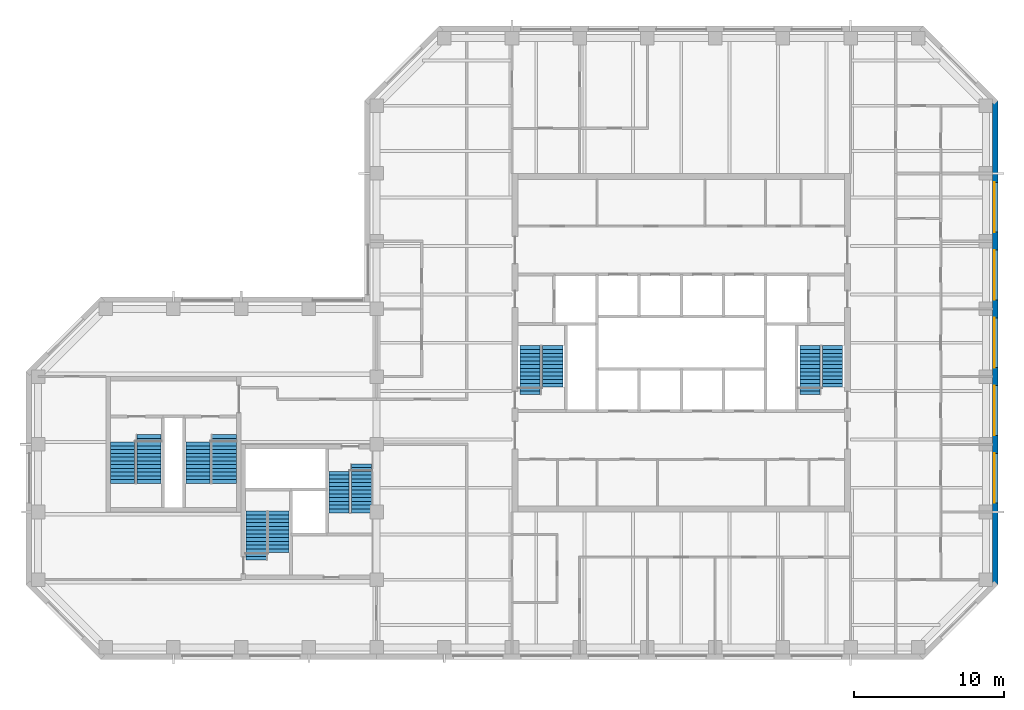
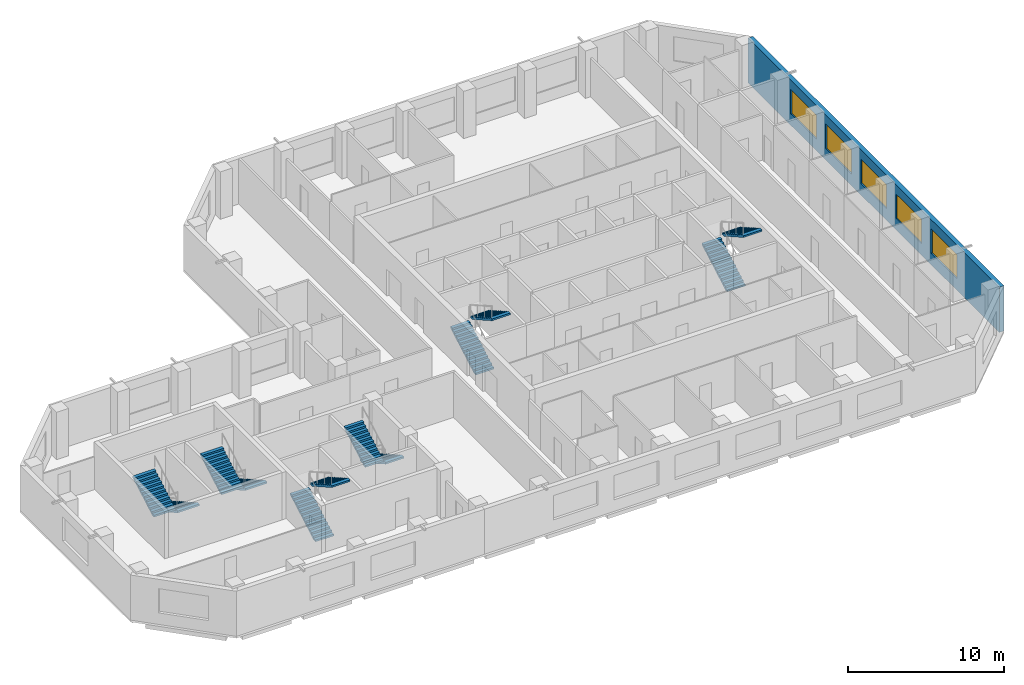
# One storey, part 8 of 9: 12 stair flights, 5 windows, 1 wall, 5 openings, 6 elements without a shape of their own.
"""IFC4 building model written with IfcOpenShell, lengths in metres."""

from ifc_helpers import new_model, si_unit, direction, frame, frame_2d, origin, place, context, subcontext, project, spatial, polyline, rectangle, outline, extrude, material, layer, layer_set, constituent, constituent_set, type_object, element, fill, aggregate, save


model = new_model("IFC4")

# Units and contexts
model_context = context("Model", 3, precision=1e-05, world=origin(), true_north=direction((0.0, 1.0)))
body_context = subcontext(model_context, "Body", "Model", "MODEL_VIEW")
ifc_project = project(units=[si_unit("LENGTHUNIT", "METRE"), si_unit("AREAUNIT", "SQUARE_METRE"), si_unit("VOLUMEUNIT", "CUBIC_METRE"), si_unit("PLANEANGLEUNIT", "RADIAN"), si_unit("MASSUNIT", "GRAM", prefix="KILO")], contexts=[model_context])

# Site, building, storey
site_placement = place(None, origin())
site = spatial("IfcSite", under=ifc_project, at=site_placement, CompositionType="ELEMENT")
building_placement = place(site_placement, origin())
building = spatial("IfcBuilding", under=site, at=building_placement, Name="Quoin Convention Tower", CompositionType="ELEMENT")
storey_placement = place(building_placement, frame((0.0, 0.0, 199.5)))
storey = spatial("IfcBuildingStorey", under=building, at=storey_placement, Name="L52", CompositionType="ELEMENT", Elevation=199.5)

# Wall, openings, windows
ifc_material_1 = material(Name="Brick masonry", Category="masonry")
ifc_layer = layer(ifc_material_1, 0.35009765625)
ifc_layer_set = layer_set([ifc_layer], Name="Brick masonry")
wall_type = type_object("IfcWallType", Name="Brick facade wall", PredefinedType="STANDARD", material=ifc_layer_set)
wall_placement = place(storey_placement, frame((77.125, 44.668701171875, 0.0), z_axis=(0.0, 0.0, 1.0), x_axis=(0.0, 1.0, 0.0)))
wall = element("IfcWall", 1, at=wall_placement, inside=storey, type_object=wall_type, Name="fw-L52-76500_45000", PredefinedType="STANDARD", context=body_context, shape_type="SweptSolid", body=[
    extrude(rectangle(XDim=32.16259765625, YDim=0.35009765625, at=frame_2d((16.081298828125, 0.0))), origin(), (0.0, 0.0, 1.0), 3.52490234375),
])
opening_1_placement = place(wall_placement, frame((5.431396484375, 0.0, 0.89990234375)))
opening_1 = element("IfcOpeningElement", 2, at=opening_1_placement, cuts=wall, Name="Opening W-02", PredefinedType="OPENING", context=body_context, shape_type="SweptSolid", body=[
    extrude(rectangle(XDim=3.300048828125, YDim=1.89990234375, at=frame_2d((1.64990234375, 0.949951171875))), frame((0.0, 0.18505859375, 0.0), z_axis=(0.0, -1.0, 0.0), x_axis=(1.0, 0.0, 0.0)), (0.0, 0.0, 1.0), 0.3701171875),
])
opening_2_placement = place(wall_placement, frame((9.931396484375, 0.0, 0.89990234375)))
opening_2 = element("IfcOpeningElement", 3, at=opening_2_placement, cuts=wall, Name="Opening W-02", PredefinedType="OPENING", context=body_context, shape_type="SweptSolid", body=[
    extrude(rectangle(XDim=3.300048828125, YDim=1.89990234375, at=frame_2d((1.64990234375, 0.949951171875))), frame((0.0, 0.18505859375, 0.0), z_axis=(0.0, -1.0, 0.0), x_axis=(1.0, 0.0, 0.0)), (0.0, 0.0, 1.0), 0.3701171875),
])
opening_3_placement = place(wall_placement, frame((14.431396484375, 0.0, 0.89990234375)))
opening_3 = element("IfcOpeningElement", 4, at=opening_3_placement, cuts=wall, Name="Opening W-02", PredefinedType="OPENING", context=body_context, shape_type="SweptSolid", body=[
    extrude(rectangle(XDim=3.300048828125, YDim=1.89990234375, at=frame_2d((1.64990234375, 0.949951171875))), frame((0.0, 0.18505859375, 0.0), z_axis=(0.0, -1.0, 0.0), x_axis=(1.0, 0.0, 0.0)), (0.0, 0.0, 1.0), 0.3701171875),
])
opening_4_placement = place(wall_placement, frame((18.931396484375, 0.0, 0.89990234375)))
opening_4 = element("IfcOpeningElement", 5, at=opening_4_placement, cuts=wall, Name="Opening W-02", PredefinedType="OPENING", context=body_context, shape_type="SweptSolid", body=[
    extrude(rectangle(XDim=3.300048828125, YDim=1.89990234375, at=frame_2d((1.64990234375, 0.949951171875))), frame((0.0, 0.18505859375, 0.0), z_axis=(0.0, -1.0, 0.0), x_axis=(1.0, 0.0, 0.0)), (0.0, 0.0, 1.0), 0.3701171875),
])
opening_5_placement = place(wall_placement, frame((23.431396484375, 0.0, 0.89990234375)))
opening_5 = element("IfcOpeningElement", 6, at=opening_5_placement, cuts=wall, Name="Opening W-02", PredefinedType="OPENING", context=body_context, shape_type="SweptSolid", body=[
    extrude(rectangle(XDim=3.300048828125, YDim=1.89990234375, at=frame_2d((1.64990234375, 0.949951171875))), frame((0.0, 0.18505859375, 0.0), z_axis=(0.0, -1.0, 0.0), x_axis=(1.0, 0.0, 0.0)), (0.0, 0.0, 1.0), 0.3701171875),
])
ifc_material_2 = material(Name="Aluminium", Category="aluminium")
ifc_constituent_1 = constituent(ifc_material_2, Name="Frame")
ifc_material_3 = material(Name="Insulated glass", Category="glass")
ifc_constituent_2 = constituent(ifc_material_3, Name="Glazing")
ifc_constituent_set = constituent_set(constituents=[ifc_constituent_1, ifc_constituent_2], Name="Aluminium")
window_type = type_object("IfcWindowType", Name="Office window", PartitioningType="DOUBLE_PANEL_VERTICAL", PredefinedType="WINDOW", material=ifc_constituent_set)
window_1_placement = place(opening_1_placement, origin())
window_1 = element("IfcWindow", 7, at=window_1_placement, inside=storey, type_object=window_type, Name="win-L52-77125_51750", OverallHeight=1.89990234375, OverallWidth=3.300048828125, PartitioningType="SINGLE_PANEL", PredefinedType="WINDOW", context=body_context, shape_type="SweptSolid", body=[
    extrude(rectangle(XDim=3.300048828125, YDim=1.89990234375, at=frame_2d((1.64990234375, 0.949951171875))), frame((0.0, 0.0849609375, 0.0), z_axis=(0.0, -1.0, 0.0), x_axis=(1.0, 0.0, 0.0)), (0.0, 0.0, 1.0), 0.06005859375),
])
fill(opening_1, window_1)
window_2_placement = place(opening_2_placement, origin())
window_2 = element("IfcWindow", 8, at=window_2_placement, inside=storey, type_object=window_type, Name="win-L52-77125_56250", OverallHeight=1.89990234375, OverallWidth=3.300048828125, PartitioningType="SINGLE_PANEL", PredefinedType="WINDOW", context=body_context, shape_type="SweptSolid", body=[
    extrude(rectangle(XDim=3.300048828125, YDim=1.89990234375, at=frame_2d((1.64990234375, 0.949951171875))), frame((0.0, 0.0849609375, 0.0), z_axis=(0.0, -1.0, 0.0), x_axis=(1.0, 0.0, 0.0)), (0.0, 0.0, 1.0), 0.06005859375),
])
fill(opening_2, window_2)
window_3_placement = place(opening_3_placement, origin())
window_3 = element("IfcWindow", 9, at=window_3_placement, inside=storey, type_object=window_type, Name="win-L52-77125_60750", OverallHeight=1.89990234375, OverallWidth=3.300048828125, PartitioningType="SINGLE_PANEL", PredefinedType="WINDOW", context=body_context, shape_type="SweptSolid", body=[
    extrude(rectangle(XDim=3.300048828125, YDim=1.89990234375, at=frame_2d((1.64990234375, 0.949951171875))), frame((0.0, 0.0849609375, 0.0), z_axis=(0.0, -1.0, 0.0), x_axis=(1.0, 0.0, 0.0)), (0.0, 0.0, 1.0), 0.06005859375),
])
fill(opening_3, window_3)
window_4_placement = place(opening_4_placement, origin())
window_4 = element("IfcWindow", 10, at=window_4_placement, inside=storey, type_object=window_type, Name="win-L52-77125_65250", OverallHeight=1.89990234375, OverallWidth=3.300048828125, PartitioningType="SINGLE_PANEL", PredefinedType="WINDOW", context=body_context, shape_type="SweptSolid", body=[
    extrude(rectangle(XDim=3.300048828125, YDim=1.89990234375, at=frame_2d((1.64990234375, 0.949951171875))), frame((0.0, 0.0849609375, 0.0), z_axis=(0.0, -1.0, 0.0), x_axis=(1.0, 0.0, 0.0)), (0.0, 0.0, 1.0), 0.06005859375),
])
fill(opening_4, window_4)
window_5_placement = place(opening_5_placement, origin())
window_5 = element("IfcWindow", 11, at=window_5_placement, inside=storey, type_object=window_type, Name="win-L52-77125_69750", OverallHeight=1.89990234375, OverallWidth=3.300048828125, PartitioningType="SINGLE_PANEL", PredefinedType="WINDOW", context=body_context, shape_type="SweptSolid", body=[
    extrude(rectangle(XDim=3.300048828125, YDim=1.89990234375, at=frame_2d((1.64990234375, 0.949951171875))), frame((0.0, 0.0849609375, 0.0), z_axis=(0.0, -1.0, 0.0), x_axis=(1.0, 0.0, 0.0)), (0.0, 0.0, 1.0), 0.06005859375),
])
fill(opening_5, window_5)

# Stair, stair flights
ifc_material_4 = material(Name="Concrete C40", Category="concrete")
stair_type_1 = type_object("IfcStairType", Name="Exit stair two-flight 1350", PredefinedType="HALF_TURN_STAIR", material=ifc_material_4)
stair_1_placement = place(storey_placement, origin())
stair_1 = element("IfcStair", 12, at=stair_1_placement, inside=storey, type_object=stair_type_1, Name="SD1 L52", PredefinedType="HALF_TURN_STAIR")
stair_flight_type_1 = type_object("IfcStairFlightType", Name="Stair flight 1350", PredefinedType="STRAIGHT", material=ifc_material_4)
stair_flight_1_placement = place(storey_placement, frame((46.199951171875, 57.300048828125, 0.0), z_axis=(0.0, 0.0, 1.0), x_axis=(0.0, 1.0, 0.0)))
stair_flight_1 = element("IfcStairFlight", 13, at=stair_flight_1_placement, type_object=stair_flight_type_1, Name="ST1 flight 1", NumberOfRisers=14, NumberOfTreads=13, PredefinedType="STRAIGHT", RiserHeight=0.142307692, TreadLength=0.25, context=body_context, shape_type="SweptSolid", body=[
    extrude(outline(polyline([(0.0, 0.0), (0.0, 0.142333984375), (0.25, 0.142333984375), (0.25, 0.28466796875), (0.5, 0.28466796875), (0.5, 0.427001953125), (0.75, 0.427001953125), (0.75, 0.5693359375), (1.0, 0.5693359375), (1.0, 0.71142578125), (1.25, 0.71142578125), (1.25, 0.853759765625), (1.5, 0.853759765625), (1.5, 0.99609375), (1.75, 0.99609375), (1.75, 1.138427734375), (2.0, 1.138427734375), (2.0, 1.28076171875), (2.25, 1.28076171875), (2.25, 1.423095703125), (2.5, 1.423095703125), (2.5, 1.5654296875), (2.75, 1.5654296875), (2.75, 1.707763671875), (3.0, 1.707763671875), (3.0, 1.85009765625), (3.25, 1.85009765625), (3.25, 1.9921875), (3.25, 1.711669921875), (0.242919921875, 0.0), (0.0, 0.0)])), frame((0.0, 0.675048828125, 0.0), z_axis=(0.0, -1.0, 0.0), x_axis=(1.0, 0.0, 0.0)), (0.0, 0.0, 1.0), 1.35009765625),
])
stair_flight_2_placement = place(storey_placement, frame((47.699951171875, 60.550048828125, 1.9921875), z_axis=(0.0, 0.0, 1.0), x_axis=(0.0, -1.0, 0.0)))
stair_flight_2 = element("IfcStairFlight", 14, at=stair_flight_2_placement, type_object=stair_flight_type_1, Name="ST1 flight 2", NumberOfRisers=12, NumberOfTreads=11, PredefinedType="STRAIGHT", RiserHeight=0.142307692, TreadLength=0.25, context=body_context, shape_type="SweptSolid", body=[
    extrude(outline(polyline([(0.0, 0.0), (0.0, 0.142333984375), (0.25, 0.142333984375), (0.25, 0.28466796875), (0.5, 0.28466796875), (0.5, 0.427001953125), (0.75, 0.427001953125), (0.75, 0.5693359375), (1.0, 0.5693359375), (1.0, 0.71142578125), (1.25, 0.71142578125), (1.25, 0.853759765625), (1.5, 0.853759765625), (1.5, 0.99609375), (1.75, 0.99609375), (1.75, 1.138427734375), (2.0, 1.138427734375), (2.0, 1.28076171875), (2.25, 1.28076171875), (2.25, 1.423095703125), (2.5, 1.423095703125), (2.5, 1.5654296875), (2.75, 1.5654296875), (2.75, 1.707763671875), (2.75, 1.42724609375), (0.242919921875, 0.0), (0.0, 0.0)])), frame((0.0, 0.675048828125, 0.0), z_axis=(0.0, -1.0, 0.0), x_axis=(1.0, 0.0, 0.0)), (0.0, 0.0, 1.0), 1.35009765625),
])
aggregate(stair_1, [stair_flight_1, stair_flight_2])

stair_2_placement = place(storey_placement, origin())
stair_2 = element("IfcStair", 15, at=stair_2_placement, inside=storey, type_object=stair_type_1, Name="SD2 L52", PredefinedType="HALF_TURN_STAIR")
stair_flight_3_placement = place(storey_placement, frame((64.800048828125, 57.300048828125, 0.0), z_axis=(0.0, 0.0, 1.0), x_axis=(0.0, 1.0, 0.0)))
stair_flight_3 = element("IfcStairFlight", 16, at=stair_flight_3_placement, type_object=stair_flight_type_1, Name="ST2 flight 1", NumberOfRisers=14, NumberOfTreads=13, PredefinedType="STRAIGHT", RiserHeight=0.142307692, TreadLength=0.25, context=body_context, shape_type="SweptSolid", body=[
    extrude(outline(polyline([(0.0, 0.0), (0.0, 0.142333984375), (0.25, 0.142333984375), (0.25, 0.28466796875), (0.5, 0.28466796875), (0.5, 0.427001953125), (0.75, 0.427001953125), (0.75, 0.5693359375), (1.0, 0.5693359375), (1.0, 0.71142578125), (1.25, 0.71142578125), (1.25, 0.853759765625), (1.5, 0.853759765625), (1.5, 0.99609375), (1.75, 0.99609375), (1.75, 1.138427734375), (2.0, 1.138427734375), (2.0, 1.28076171875), (2.25, 1.28076171875), (2.25, 1.423095703125), (2.5, 1.423095703125), (2.5, 1.5654296875), (2.75, 1.5654296875), (2.75, 1.707763671875), (3.0, 1.707763671875), (3.0, 1.85009765625), (3.25, 1.85009765625), (3.25, 1.9921875), (3.25, 1.711669921875), (0.242919921875, 0.0), (0.0, 0.0)])), frame((0.0, 0.675048828125, 0.0), z_axis=(0.0, -1.0, 0.0), x_axis=(1.0, 0.0, 0.0)), (0.0, 0.0, 1.0), 1.35009765625),
])
stair_flight_4_placement = place(storey_placement, frame((66.300048828125, 60.550048828125, 1.9921875), z_axis=(0.0, 0.0, 1.0), x_axis=(0.0, -1.0, 0.0)))
stair_flight_4 = element("IfcStairFlight", 17, at=stair_flight_4_placement, type_object=stair_flight_type_1, Name="ST2 flight 2", NumberOfRisers=12, NumberOfTreads=11, PredefinedType="STRAIGHT", RiserHeight=0.142307692, TreadLength=0.25, context=body_context, shape_type="SweptSolid", body=[
    extrude(outline(polyline([(0.0, 0.0), (0.0, 0.142333984375), (0.25, 0.142333984375), (0.25, 0.28466796875), (0.5, 0.28466796875), (0.5, 0.427001953125), (0.75, 0.427001953125), (0.75, 0.5693359375), (1.0, 0.5693359375), (1.0, 0.71142578125), (1.25, 0.71142578125), (1.25, 0.853759765625), (1.5, 0.853759765625), (1.5, 0.99609375), (1.75, 0.99609375), (1.75, 1.138427734375), (2.0, 1.138427734375), (2.0, 1.28076171875), (2.25, 1.28076171875), (2.25, 1.423095703125), (2.5, 1.423095703125), (2.5, 1.5654296875), (2.75, 1.5654296875), (2.75, 1.707763671875), (2.75, 1.42724609375), (0.242919921875, 0.0), (0.0, 0.0)])), frame((0.0, 0.675048828125, 0.0), z_axis=(0.0, -1.0, 0.0), x_axis=(1.0, 0.0, 0.0)), (0.0, 0.0, 1.0), 1.35009765625),
])
aggregate(stair_2, [stair_flight_3, stair_flight_4])

stair_3_placement = place(storey_placement, origin())
stair_3 = element("IfcStair", 18, at=stair_3_placement, inside=storey, type_object=stair_type_1, Name="SD3 L52", PredefinedType="HALF_TURN_STAIR")
stair_flight_5_placement = place(storey_placement, frame((28.0, 46.300048828125, 0.0), z_axis=(0.0, 0.0, 1.0), x_axis=(0.0, 1.0, 0.0)))
stair_flight_5 = element("IfcStairFlight", 19, at=stair_flight_5_placement, type_object=stair_flight_type_1, Name="ST3 flight 1", NumberOfRisers=14, NumberOfTreads=13, PredefinedType="STRAIGHT", RiserHeight=0.142307692, TreadLength=0.25, context=body_context, shape_type="SweptSolid", body=[
    extrude(outline(polyline([(0.0, 0.0), (0.0, 0.142333984375), (0.25, 0.142333984375), (0.25, 0.28466796875), (0.5, 0.28466796875), (0.5, 0.427001953125), (0.75, 0.427001953125), (0.75, 0.5693359375), (1.0, 0.5693359375), (1.0, 0.71142578125), (1.25, 0.71142578125), (1.25, 0.853759765625), (1.5, 0.853759765625), (1.5, 0.99609375), (1.75, 0.99609375), (1.75, 1.138427734375), (2.0, 1.138427734375), (2.0, 1.28076171875), (2.25, 1.28076171875), (2.25, 1.423095703125), (2.5, 1.423095703125), (2.5, 1.5654296875), (2.75, 1.5654296875), (2.75, 1.707763671875), (3.0, 1.707763671875), (3.0, 1.85009765625), (3.25, 1.85009765625), (3.25, 1.9921875), (3.25, 1.711669921875), (0.242919921875, 0.0), (0.0, 0.0)])), frame((0.0, 0.675048828125, 0.0), z_axis=(0.0, -1.0, 0.0), x_axis=(1.0, 0.0, 0.0)), (0.0, 0.0, 1.0), 1.35009765625),
])
stair_flight_6_placement = place(storey_placement, frame((29.5, 49.550048828125, 1.9921875), z_axis=(0.0, 0.0, 1.0), x_axis=(0.0, -1.0, 0.0)))
stair_flight_6 = element("IfcStairFlight", 20, at=stair_flight_6_placement, type_object=stair_flight_type_1, Name="ST3 flight 2", NumberOfRisers=12, NumberOfTreads=11, PredefinedType="STRAIGHT", RiserHeight=0.142307692, TreadLength=0.25, context=body_context, shape_type="SweptSolid", body=[
    extrude(outline(polyline([(0.0, 0.0), (0.0, 0.142333984375), (0.25, 0.142333984375), (0.25, 0.28466796875), (0.5, 0.28466796875), (0.5, 0.427001953125), (0.75, 0.427001953125), (0.75, 0.5693359375), (1.0, 0.5693359375), (1.0, 0.71142578125), (1.25, 0.71142578125), (1.25, 0.853759765625), (1.5, 0.853759765625), (1.5, 0.99609375), (1.75, 0.99609375), (1.75, 1.138427734375), (2.0, 1.138427734375), (2.0, 1.28076171875), (2.25, 1.28076171875), (2.25, 1.423095703125), (2.5, 1.423095703125), (2.5, 1.5654296875), (2.75, 1.5654296875), (2.75, 1.707763671875), (2.75, 1.42724609375), (0.242919921875, 0.0), (0.0, 0.0)])), frame((0.0, 0.675048828125, 0.0), z_axis=(0.0, -1.0, 0.0), x_axis=(1.0, 0.0, 0.0)), (0.0, 0.0, 1.0), 1.35009765625),
])
aggregate(stair_3, [stair_flight_5, stair_flight_6])

stair_4_placement = place(storey_placement, origin())
stair_4 = element("IfcStair", 21, at=stair_4_placement, inside=storey, type_object=stair_type_1, Name="SD4 L52", PredefinedType="HALF_TURN_STAIR")
stair_flight_7_placement = place(storey_placement, frame((35.0, 52.699951171875, 0.0), z_axis=(0.0, 0.0, 1.0), x_axis=(0.0, -1.0, 0.0)))
stair_flight_7 = element("IfcStairFlight", 22, at=stair_flight_7_placement, type_object=stair_flight_type_1, Name="ST4 flight 1", NumberOfRisers=14, NumberOfTreads=13, PredefinedType="STRAIGHT", RiserHeight=0.142307692, TreadLength=0.25, context=body_context, shape_type="SweptSolid", body=[
    extrude(outline(polyline([(0.0, 0.0), (0.0, 0.142333984375), (0.25, 0.142333984375), (0.25, 0.28466796875), (0.5, 0.28466796875), (0.5, 0.427001953125), (0.75, 0.427001953125), (0.75, 0.5693359375), (1.0, 0.5693359375), (1.0, 0.71142578125), (1.25, 0.71142578125), (1.25, 0.853759765625), (1.5, 0.853759765625), (1.5, 0.99609375), (1.75, 0.99609375), (1.75, 1.138427734375), (2.0, 1.138427734375), (2.0, 1.28076171875), (2.25, 1.28076171875), (2.25, 1.423095703125), (2.5, 1.423095703125), (2.5, 1.5654296875), (2.75, 1.5654296875), (2.75, 1.707763671875), (3.0, 1.707763671875), (3.0, 1.85009765625), (3.25, 1.85009765625), (3.25, 1.9921875), (3.25, 1.711669921875), (0.242919921875, 0.0), (0.0, 0.0)])), frame((0.0, 0.675048828125, 0.0), z_axis=(0.0, -1.0, 0.0), x_axis=(1.0, 0.0, 0.0)), (0.0, 0.0, 1.0), 1.35009765625),
])
stair_flight_8_placement = place(storey_placement, frame((33.5, 49.449951171875, 1.9921875), z_axis=(0.0, 0.0, 1.0), x_axis=(0.0, 1.0, 0.0)))
stair_flight_8 = element("IfcStairFlight", 23, at=stair_flight_8_placement, type_object=stair_flight_type_1, Name="ST4 flight 2", NumberOfRisers=12, NumberOfTreads=11, PredefinedType="STRAIGHT", RiserHeight=0.142307692, TreadLength=0.25, context=body_context, shape_type="SweptSolid", body=[
    extrude(outline(polyline([(0.0, 0.0), (0.0, 0.142333984375), (0.25, 0.142333984375), (0.25, 0.28466796875), (0.5, 0.28466796875), (0.5, 0.427001953125), (0.75, 0.427001953125), (0.75, 0.5693359375), (1.0, 0.5693359375), (1.0, 0.71142578125), (1.25, 0.71142578125), (1.25, 0.853759765625), (1.5, 0.853759765625), (1.5, 0.99609375), (1.75, 0.99609375), (1.75, 1.138427734375), (2.0, 1.138427734375), (2.0, 1.28076171875), (2.25, 1.28076171875), (2.25, 1.423095703125), (2.5, 1.423095703125), (2.5, 1.5654296875), (2.75, 1.5654296875), (2.75, 1.707763671875), (2.75, 1.42724609375), (0.242919921875, 0.0), (0.0, 0.0)])), frame((0.0, 0.675048828125, 0.0), z_axis=(0.0, -1.0, 0.0), x_axis=(1.0, 0.0, 0.0)), (0.0, 0.0, 1.0), 1.35009765625),
])
aggregate(stair_4, [stair_flight_7, stair_flight_8])

stair_type_2 = type_object("IfcStairType", Name="Exit stair two-flight 1600", PredefinedType="HALF_TURN_STAIR", material=ifc_material_4)
stair_5_placement = place(storey_placement, origin())
stair_5 = element("IfcStair", 24, at=stair_5_placement, inside=storey, type_object=stair_type_2, Name="SD11 L52", PredefinedType="HALF_TURN_STAIR")
stair_flight_type_2 = type_object("IfcStairFlightType", Name="Stair flight 1600", PredefinedType="STRAIGHT", material=ifc_material_4)
stair_flight_9_placement = place(storey_placement, frame((20.875, 54.64990234375, 0.0), z_axis=(0.0, 0.0, 1.0), x_axis=(0.0, -1.0, 0.0)))
stair_flight_9 = element("IfcStairFlight", 25, at=stair_flight_9_placement, type_object=stair_flight_type_2, Name="ST11 flight 1", NumberOfRisers=14, NumberOfTreads=13, PredefinedType="STRAIGHT", RiserHeight=0.142307692, TreadLength=0.25, context=body_context, shape_type="SweptSolid", body=[
    extrude(outline(polyline([(0.0, 0.0), (0.0, 0.142333984375), (0.25, 0.142333984375), (0.25, 0.28466796875), (0.5, 0.28466796875), (0.5, 0.427001953125), (0.75, 0.427001953125), (0.75, 0.5693359375), (1.0, 0.5693359375), (1.0, 0.71142578125), (1.25, 0.71142578125), (1.25, 0.853759765625), (1.5, 0.853759765625), (1.5, 0.99609375), (1.75, 0.99609375), (1.75, 1.138427734375), (2.0, 1.138427734375), (2.0, 1.28076171875), (2.25, 1.28076171875), (2.25, 1.423095703125), (2.5, 1.423095703125), (2.5, 1.5654296875), (2.75, 1.5654296875), (2.75, 1.707763671875), (3.0, 1.707763671875), (3.0, 1.85009765625), (3.25, 1.85009765625), (3.25, 1.9921875), (3.25, 1.711669921875), (0.242919921875, 0.0), (0.0, 0.0)])), frame((0.0, 0.800048828125, 0.0), z_axis=(0.0, -1.0, 0.0), x_axis=(1.0, 0.0, 0.0)), (0.0, 0.0, 1.0), 1.60009765625),
])
stair_flight_10_placement = place(storey_placement, frame((19.125, 51.39990234375, 1.9921875), z_axis=(0.0, 0.0, 1.0), x_axis=(0.0, 1.0, 0.0)))
stair_flight_10 = element("IfcStairFlight", 26, at=stair_flight_10_placement, type_object=stair_flight_type_2, Name="ST11 flight 2", NumberOfRisers=12, NumberOfTreads=11, PredefinedType="STRAIGHT", RiserHeight=0.142307692, TreadLength=0.25, context=body_context, shape_type="SweptSolid", body=[
    extrude(outline(polyline([(0.0, 0.0), (0.0, 0.142333984375), (0.25, 0.142333984375), (0.25, 0.28466796875), (0.5, 0.28466796875), (0.5, 0.427001953125), (0.75, 0.427001953125), (0.75, 0.5693359375), (1.0, 0.5693359375), (1.0, 0.71142578125), (1.25, 0.71142578125), (1.25, 0.853759765625), (1.5, 0.853759765625), (1.5, 0.99609375), (1.75, 0.99609375), (1.75, 1.138427734375), (2.0, 1.138427734375), (2.0, 1.28076171875), (2.25, 1.28076171875), (2.25, 1.423095703125), (2.5, 1.423095703125), (2.5, 1.5654296875), (2.75, 1.5654296875), (2.75, 1.707763671875), (2.75, 1.42724609375), (0.242919921875, 0.0), (0.0, 0.0)])), frame((0.0, 0.800048828125, 0.0), z_axis=(0.0, -1.0, 0.0), x_axis=(1.0, 0.0, 0.0)), (0.0, 0.0, 1.0), 1.60009765625),
])
aggregate(stair_5, [stair_flight_9, stair_flight_10])

stair_6_placement = place(storey_placement, origin())
stair_6 = element("IfcStair", 27, at=stair_6_placement, inside=storey, type_object=stair_type_2, Name="SD12 L52", PredefinedType="HALF_TURN_STAIR")
stair_flight_11_placement = place(storey_placement, frame((25.875, 54.64990234375, 0.0), z_axis=(0.0, 0.0, 1.0), x_axis=(0.0, -1.0, 0.0)))
stair_flight_11 = element("IfcStairFlight", 28, at=stair_flight_11_placement, type_object=stair_flight_type_2, Name="ST12 flight 1", NumberOfRisers=14, NumberOfTreads=13, PredefinedType="STRAIGHT", RiserHeight=0.142307692, TreadLength=0.25, context=body_context, shape_type="SweptSolid", body=[
    extrude(outline(polyline([(0.0, 0.0), (0.0, 0.142333984375), (0.25, 0.142333984375), (0.25, 0.28466796875), (0.5, 0.28466796875), (0.5, 0.427001953125), (0.75, 0.427001953125), (0.75, 0.5693359375), (1.0, 0.5693359375), (1.0, 0.71142578125), (1.25, 0.71142578125), (1.25, 0.853759765625), (1.5, 0.853759765625), (1.5, 0.99609375), (1.75, 0.99609375), (1.75, 1.138427734375), (2.0, 1.138427734375), (2.0, 1.28076171875), (2.25, 1.28076171875), (2.25, 1.423095703125), (2.5, 1.423095703125), (2.5, 1.5654296875), (2.75, 1.5654296875), (2.75, 1.707763671875), (3.0, 1.707763671875), (3.0, 1.85009765625), (3.25, 1.85009765625), (3.25, 1.9921875), (3.25, 1.711669921875), (0.242919921875, 0.0), (0.0, 0.0)])), frame((0.0, 0.800048828125, 0.0), z_axis=(0.0, -1.0, 0.0), x_axis=(1.0, 0.0, 0.0)), (0.0, 0.0, 1.0), 1.60009765625),
])
stair_flight_12_placement = place(storey_placement, frame((24.125, 51.39990234375, 1.9921875), z_axis=(0.0, 0.0, 1.0), x_axis=(0.0, 1.0, 0.0)))
stair_flight_12 = element("IfcStairFlight", 29, at=stair_flight_12_placement, type_object=stair_flight_type_2, Name="ST12 flight 2", NumberOfRisers=12, NumberOfTreads=11, PredefinedType="STRAIGHT", RiserHeight=0.142307692, TreadLength=0.25, context=body_context, shape_type="SweptSolid", body=[
    extrude(outline(polyline([(0.0, 0.0), (0.0, 0.142333984375), (0.25, 0.142333984375), (0.25, 0.28466796875), (0.5, 0.28466796875), (0.5, 0.427001953125), (0.75, 0.427001953125), (0.75, 0.5693359375), (1.0, 0.5693359375), (1.0, 0.71142578125), (1.25, 0.71142578125), (1.25, 0.853759765625), (1.5, 0.853759765625), (1.5, 0.99609375), (1.75, 0.99609375), (1.75, 1.138427734375), (2.0, 1.138427734375), (2.0, 1.28076171875), (2.25, 1.28076171875), (2.25, 1.423095703125), (2.5, 1.423095703125), (2.5, 1.5654296875), (2.75, 1.5654296875), (2.75, 1.707763671875), (2.75, 1.42724609375), (0.242919921875, 0.0), (0.0, 0.0)])), frame((0.0, 0.800048828125, 0.0), z_axis=(0.0, -1.0, 0.0), x_axis=(1.0, 0.0, 0.0)), (0.0, 0.0, 1.0), 1.60009765625),
])
aggregate(stair_6, [stair_flight_11, stair_flight_12])

save(model, "model.ifc")
